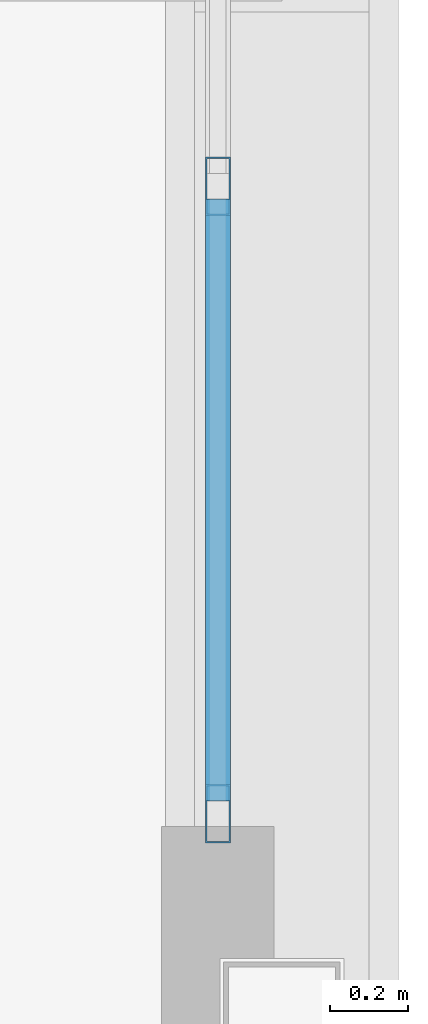
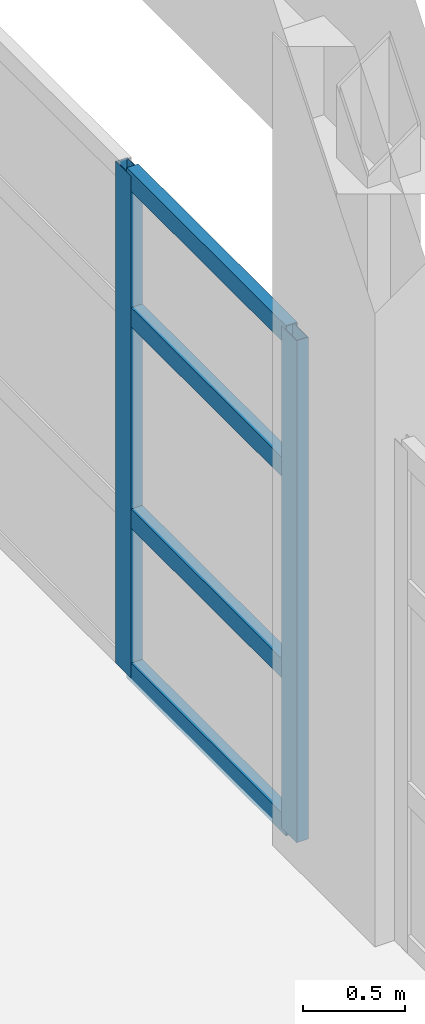
# One storey, part 51 of 78: 6 members, 1 element without a shape of its own.
"""IFC4 building model written with IfcOpenShell, lengths in metres."""

from ifc_helpers import new_model, si_unit, direction, frame, origin, origin_2d, place, context, subcontext, project, spatial, hollow_rectangle, extrude, material, layer, layer_set, material_profile, profile_set, type_object, element, aggregate, save


model = new_model("IFC4")

# Units and contexts
model_context = context("Model", 3, precision=1e-05, world=origin(), true_north=direction((0.0, 1.0)))
body_context = subcontext(model_context, "Body", "Model", "MODEL_VIEW")
ifc_project = project(units=[si_unit("LENGTHUNIT", "METRE"), si_unit("AREAUNIT", "SQUARE_METRE"), si_unit("VOLUMEUNIT", "CUBIC_METRE"), si_unit("PLANEANGLEUNIT", "RADIAN"), si_unit("MASSUNIT", "GRAM", prefix="KILO")], contexts=[model_context])

# Site, building, storey
site_placement = place(None, origin())
site = spatial("IfcSite", under=ifc_project, at=site_placement, CompositionType="ELEMENT")
building_placement = place(site_placement, origin())
building = spatial("IfcBuilding", under=site, at=building_placement, Name="Quendrovan Civic Courthouse", CompositionType="ELEMENT")
storey_placement = place(building_placement, frame((0.0, 0.0, 20.39990234375)))
storey = spatial("IfcBuildingStorey", under=building, at=storey_placement, Name="L05", CompositionType="ELEMENT", Elevation=20.39990234375)

# Curtain wall, members
ifc_material_1 = material(Name="Bronze anodised aluminium and low-E glass", Category="aluminium")
ifc_layer = layer(ifc_material_1, 0.179931640625, Name="Bronze anodised aluminium and low-E glass")
ifc_layer_set = layer_set([ifc_layer], Name="Bronze anodised aluminium and low-E glass")
curtain_wall_type = type_object("IfcCurtainWallType", Name="CW-U66x30", PredefinedType="USERDEFINED", material=ifc_layer_set)
curtain_wall_placement = place(storey_placement, origin())
curtain_wall = element("IfcCurtainWall", 1, at=curtain_wall_placement, inside=storey, type_object=curtain_wall_type, Name="L05 Unitised Hurricane Curtain Wall CW-195", ObjectType="UNITISED CURTAIN WALL", PredefinedType="USERDEFINED")
ifc_material_2 = material(Name="Bronze anodised aluminium", Category="aluminium")
ifc_material_profile_1 = material_profile(ifc_material_2, hollow_rectangle(XDim=0.06494140625, YDim=0.14990234375, WallThickness=0.00390625, at=origin_2d()), Name="CW-MULL-65x150")
ifc_profile_set_1 = profile_set([ifc_material_profile_1], Name="Bronze anodised aluminium")
member_type_1 = type_object("IfcMemberType", Name="CW-MULL-B", PredefinedType="MULLION", material=ifc_profile_set_1)
member_1_placement = place(storey_placement, frame((142.635009765625, 104.14990234375, 0.0), z_axis=(0.0, 0.0, 1.0), x_axis=(1.0, 0.0, 0.0)))
member_1 = element("IfcMember", 2, at=member_1_placement, type_object=member_type_1, Name="CW-195 mullion 4", PredefinedType="MULLION", context=body_context, shape_type="SweptSolid", body=[
    extrude(hollow_rectangle(XDim=0.06494140625, YDim=0.14990234375, WallThickness=0.00390625, at=origin_2d()), origin(), (0.0, 0.0, 1.0), 2.989990234375),
])
member_2_placement = place(storey_placement, frame((142.635009765625, 102.532470703125, 0.0), z_axis=(0.0, 0.0, 1.0), x_axis=(1.0, 0.0, 0.0)))
member_2 = element("IfcMember", 3, at=member_2_placement, type_object=member_type_1, Name="CW-195 mullion 5", PredefinedType="MULLION", context=body_context, shape_type="SweptSolid", body=[
    extrude(hollow_rectangle(XDim=0.06494140625, YDim=0.14990234375, WallThickness=0.00390625, at=origin_2d()), origin(), (0.0, 0.0, 1.0), 2.989990234375),
])
ifc_material_profile_2 = material_profile(ifc_material_2, hollow_rectangle(XDim=0.06494140625, YDim=0.114990234375, WallThickness=0.00390625, at=origin_2d()), Name="CW-TRAN-65x115")
ifc_profile_set_2 = profile_set([ifc_material_profile_2], Name="Bronze anodised aluminium")
member_type_2 = type_object("IfcMemberType", Name="CW-TRAN-B", PredefinedType="USERDEFINED", material=ifc_profile_set_2)
member_3_placement = place(storey_placement, frame((142.635009765625, 104.117431640625, 0.03271484375), z_axis=(0.0, -1.0, 0.0), x_axis=(1.0, 0.0, 0.0)))
member_3 = element("IfcMember", 4, at=member_3_placement, type_object=member_type_2, Name="CW-195 transom 4.1", ObjectType="TRANSOM", PredefinedType="USERDEFINED", context=body_context, shape_type="SweptSolid", body=[
    extrude(hollow_rectangle(XDim=0.06494140625, YDim=0.114990234375, WallThickness=0.00390625, at=origin_2d()), origin(), (0.0, 0.0, 1.0), 1.552490234375),
])
member_4_placement = place(storey_placement, frame((142.635009765625, 104.117431640625, 0.9501953125), z_axis=(0.0, -1.0, 0.0), x_axis=(1.0, 0.0, 0.0)))
member_4 = element("IfcMember", 5, at=member_4_placement, type_object=member_type_2, Name="CW-195 transom 4.2", ObjectType="TRANSOM", PredefinedType="USERDEFINED", context=body_context, shape_type="SweptSolid", body=[
    extrude(hollow_rectangle(XDim=0.06494140625, YDim=0.114990234375, WallThickness=0.00390625, at=origin_2d()), origin(), (0.0, 0.0, 1.0), 1.552490234375),
])
member_5_placement = place(storey_placement, frame((142.635009765625, 104.117431640625, 2.150146484375), z_axis=(0.0, -1.0, 0.0), x_axis=(1.0, 0.0, 0.0)))
member_5 = element("IfcMember", 6, at=member_5_placement, type_object=member_type_2, Name="CW-195 transom 4.3", ObjectType="TRANSOM", PredefinedType="USERDEFINED", context=body_context, shape_type="SweptSolid", body=[
    extrude(hollow_rectangle(XDim=0.06494140625, YDim=0.114990234375, WallThickness=0.00390625, at=origin_2d()), origin(), (0.0, 0.0, 1.0), 1.552490234375),
])
member_6_placement = place(storey_placement, frame((142.635009765625, 104.117431640625, 2.95751953125), z_axis=(0.0, -1.0, 0.0), x_axis=(1.0, 0.0, 0.0)))
member_6 = element("IfcMember", 7, at=member_6_placement, type_object=member_type_2, Name="CW-195 transom 4.4", ObjectType="TRANSOM", PredefinedType="USERDEFINED", context=body_context, shape_type="SweptSolid", body=[
    extrude(hollow_rectangle(XDim=0.06494140625, YDim=0.114990234375, WallThickness=0.00390625, at=origin_2d()), origin(), (0.0, 0.0, 1.0), 1.552490234375),
])
aggregate(curtain_wall, [member_1, member_2, member_3, member_4, member_5, member_6])

save(model, "model.ifc")
